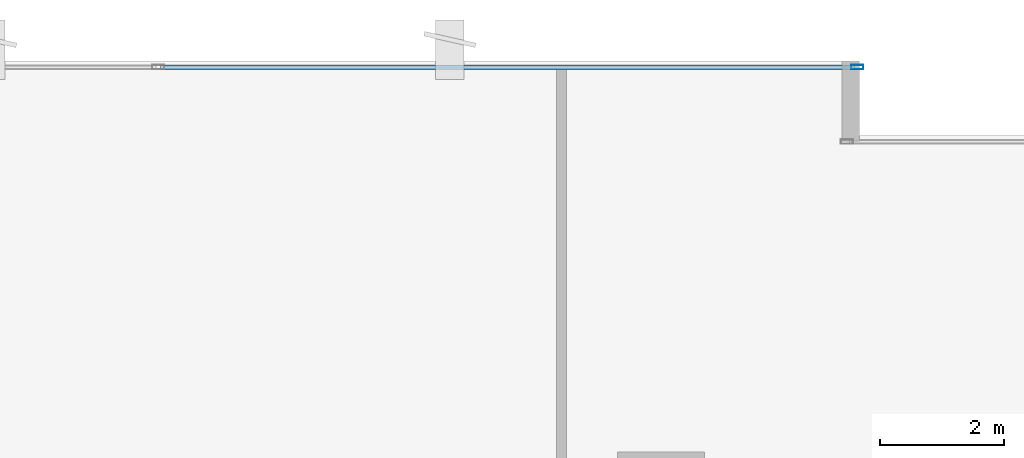
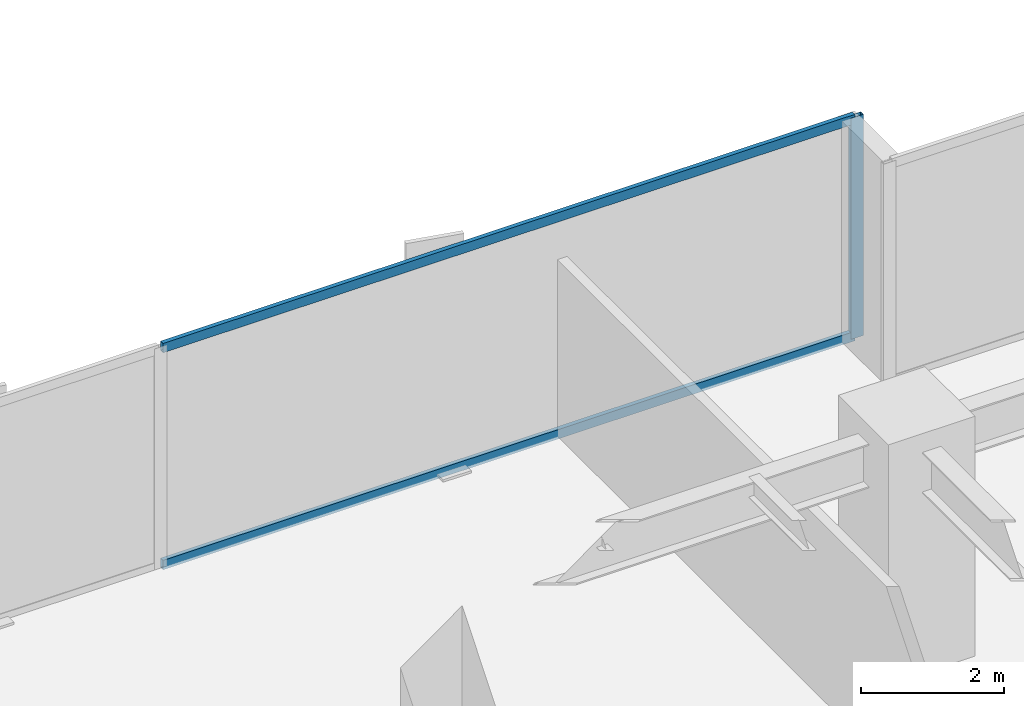
# One storey, part 16 of 36: 3 members, 1 element without a shape of its own.
"""IFC4 building model written with IfcOpenShell, lengths in metres."""

from ifc_helpers import new_model, si_unit, direction, frame, origin, origin_2d, place, context, subcontext, project, spatial, hollow_rectangle, extrude, source, transform, mapped, material, layer, layer_set, material_profile, profile_set, type_object, type_shapes, element, aggregate, save


model = new_model("IFC4")

# Units and contexts
model_context = context("Model", 3, precision=1e-05, world=origin(), true_north=direction((0.0, 1.0)))
body_context = subcontext(model_context, "Body", "Model", "MODEL_VIEW")
ifc_project = project(units=[si_unit("LENGTHUNIT", "METRE"), si_unit("AREAUNIT", "SQUARE_METRE"), si_unit("VOLUMEUNIT", "CUBIC_METRE"), si_unit("PLANEANGLEUNIT", "RADIAN"), si_unit("MASSUNIT", "GRAM", prefix="KILO")], contexts=[model_context])

# Site, building, storey
site_placement = place(None, origin())
site = spatial("IfcSite", under=ifc_project, at=site_placement, CompositionType="ELEMENT")
building_placement = place(site_placement, origin())
building = spatial("IfcBuilding", under=site, at=building_placement, Name="Haelvirn Gate Laboratories", CompositionType="ELEMENT")
storey_placement = place(building_placement, frame((0.0, 0.0, 29.300048828125)))
storey = spatial("IfcBuildingStorey", under=building, at=storey_placement, Name="L07", CompositionType="ELEMENT", Elevation=29.300048828125)

# Curtain wall, members
ifc_material_1 = material(Name="Anodised bronze unitised aluminium & triple low-E glass", Category="aluminium")
ifc_layer = layer(ifc_material_1, 0.18408203125, Name="CW-SYS-2")
ifc_layer_set = layer_set([ifc_layer], Name="Anodised bronze unitised aluminium & triple low-E glass")
curtain_wall_type = type_object("IfcCurtainWallType", Name="CW-SYS-2", PredefinedType="NOTDEFINED", material=ifc_layer_set)
curtain_wall_placement = place(storey_placement, origin())
curtain_wall = element("IfcCurtainWall", 1, at=curtain_wall_placement, inside=storey, type_object=curtain_wall_type, Name="L07 Unitised Curtain Wall CW-L07-P0-E14-1", PredefinedType="NOTDEFINED")
ifc_material_2 = material(Name="Extruded aluminium 6063-T6 (anodised bronze)", Category="aluminium")
ifc_material_profile_1 = material_profile(ifc_material_2, hollow_rectangle(XDim=0.074951171875, YDim=0.199951171875, WallThickness=0.0048828125, at=origin_2d()), Name="CWM-200x75x5")
ifc_profile_set_1 = profile_set([ifc_material_profile_1], Name="Extruded aluminium 6063-T6 (anodised bronze)")
member_type_1 = type_object("IfcMemberType", Name="CWM-T200", PredefinedType="MULLION", material=ifc_profile_set_1)
shared_shape_1 = source(origin(), body_context, "Body", "SweptSolid", [
    extrude(hollow_rectangle(XDim=0.074951171875, YDim=0.199951171875, WallThickness=0.0048828125, at=origin_2d()), origin(), (0.0, 0.0, 1.0), 3.780029296875),
])
type_shapes(member_type_1, [shared_shape_1])
member_1_placement = place(storey_placement, frame((25.362548828125, 48.5, 0.0), z_axis=(0.0, 0.0, 1.0), x_axis=(0.0, 1.0, 0.0)))
member_1 = element("IfcMember", 2, at=member_1_placement, type_object=member_type_1, Name="CW2 mullion 3", PredefinedType="MULLION", context=body_context, shape_type="MappedRepresentation", body=[
    mapped(shared_shape_1, transform((0.0, 0.0, 0.0), scale=1.0)),
])
ifc_material_profile_2 = material_profile(ifc_material_2, hollow_rectangle(XDim=0.070068359375, YDim=0.159912109375, WallThickness=0.0048828125, at=origin_2d()), Name="CWT-160x70x5")
ifc_profile_set_2 = profile_set([ifc_material_profile_2], Name="Extruded aluminium 6063-T6 (anodised bronze)")
member_type_2 = type_object("IfcMemberType", Name="CWT-T160", PredefinedType="USERDEFINED", material=ifc_profile_set_2)
shared_shape_2 = source(origin(), body_context, "Body", "SweptSolid", [
    extrude(hollow_rectangle(XDim=0.070068359375, YDim=0.159912109375, WallThickness=0.0048828125, at=origin_2d()), origin(), (0.0, 0.0, 1.0), 11.1875),
])
type_shapes(member_type_2, [shared_shape_2])
member_2_placement = place(storey_placement, frame((14.137451171875, 48.5, 0.034912109375), z_axis=(1.0, 0.0, 0.0), x_axis=(0.0, 1.0, 0.0)))
member_2 = element("IfcMember", 3, at=member_2_placement, type_object=member_type_2, Name="CW2 transom 2.1", ObjectType="TRANSOM", PredefinedType="USERDEFINED", context=body_context, shape_type="MappedRepresentation", body=[
    mapped(shared_shape_2, transform((0.0, 0.0, 0.0), scale=1.0)),
])
member_3_placement = place(storey_placement, frame((14.137451171875, 48.5, 3.744873046875), z_axis=(1.0, 0.0, 0.0), x_axis=(0.0, 1.0, 0.0)))
member_3 = element("IfcMember", 4, at=member_3_placement, type_object=member_type_2, Name="CW2 transom 2.2", ObjectType="TRANSOM", PredefinedType="USERDEFINED", context=body_context, shape_type="MappedRepresentation", body=[
    mapped(shared_shape_2, transform((0.0, 0.0, 0.0), scale=1.0)),
])
aggregate(curtain_wall, [member_1, member_2, member_3])

save(model, "model.ifc")
